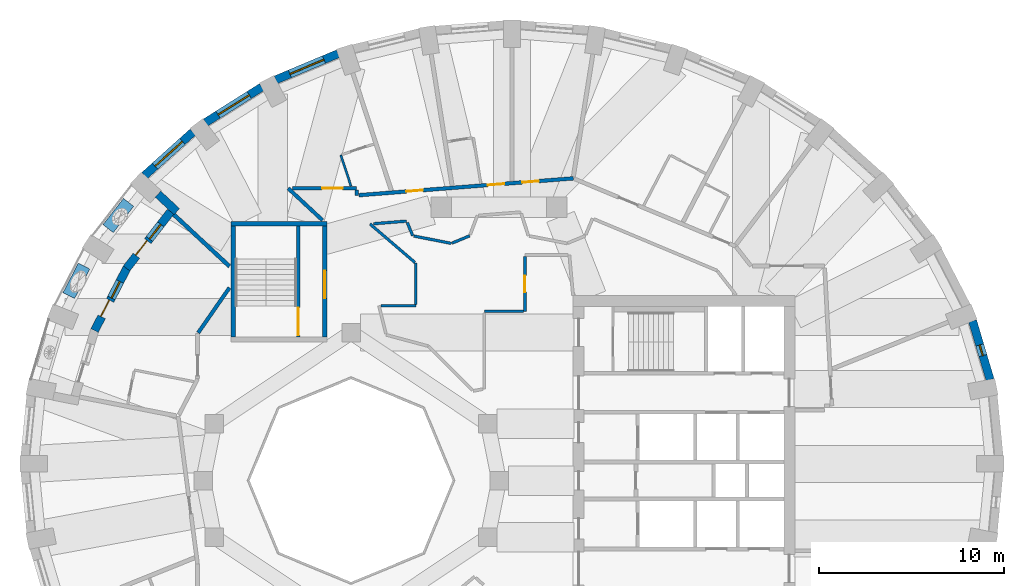
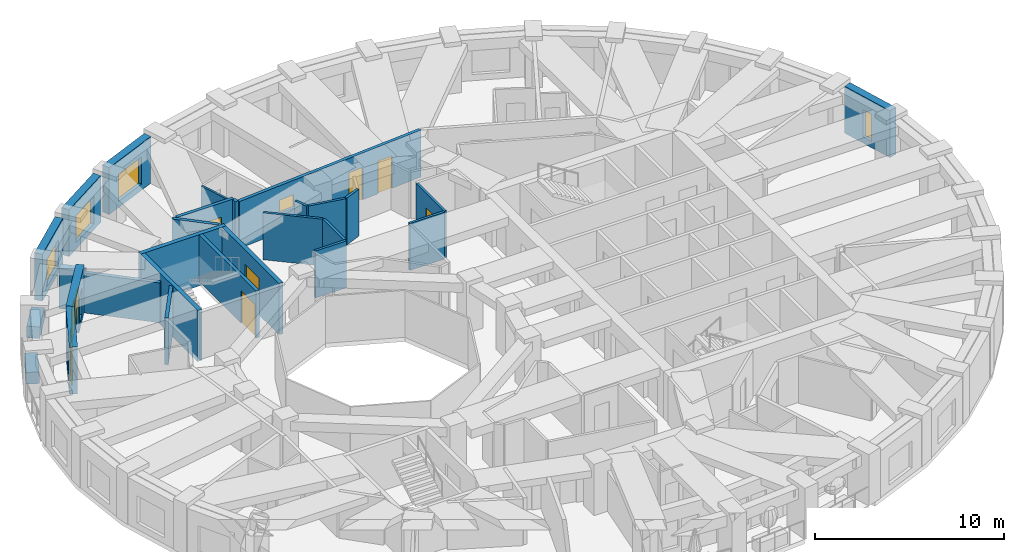
# One storey, part 7 of 12: 29 walls, 9 doors, 6 windows, 15 openings.
"""IFC4 building model written with IfcOpenShell, lengths in metres."""

from ifc_helpers import new_model, si_unit, direction, frame, frame_2d, origin, place, context, subcontext, project, spatial, rectangle, extrude, material, layer, layer_set, constituent, constituent_set, type_object, element, fill, save


model = new_model("IFC4")

# Units and contexts
model_context = context("Model", 3, precision=1e-05, world=origin(), true_north=direction((0.0, 1.0)))
body_context = subcontext(model_context, "Body", "Model", "MODEL_VIEW")
ifc_project = project(units=[si_unit("LENGTHUNIT", "METRE"), si_unit("AREAUNIT", "SQUARE_METRE"), si_unit("VOLUMEUNIT", "CUBIC_METRE"), si_unit("PLANEANGLEUNIT", "RADIAN"), si_unit("MASSUNIT", "GRAM", prefix="KILO")], contexts=[model_context])

# Site, building, storey
site_placement = place(None, origin())
site = spatial("IfcSite", under=ifc_project, at=site_placement, CompositionType="ELEMENT")
building_placement = place(site_placement, origin())
building = spatial("IfcBuilding", under=site, at=building_placement, Name="Taillehof Tower", CompositionType="ELEMENT")
storey_placement = place(building_placement, frame((0.0, 0.0, 205.699951171875)))
storey = spatial("IfcBuildingStorey", under=building, at=storey_placement, Name="L58", CompositionType="ELEMENT", Elevation=205.699951171875)

# Wall, opening, window
ifc_material_1 = material(Name="Brick masonry", Category="masonry")
ifc_layer_1 = layer(ifc_material_1, 0.449951171875)
ifc_layer_set_1 = layer_set([ifc_layer_1], Name="Brick infill wall 450")
wall_type_1 = type_object("IfcWallType", Name="Brick infill wall 450", PredefinedType="SOLIDWALL", material=ifc_layer_set_1)
wall_1_placement = place(storey_placement, frame((26.548095703125, 5.451904296875, 0.0), z_axis=(0.0, 0.0, 1.0), x_axis=(-0.285444972963, 0.958395099847, 0.0)))
wall_1 = element("IfcWall", 1, at=wall_1_placement, inside=storey, type_object=wall_type_1, Name="Brick wall L58 bay 2", PredefinedType="SOLIDWALL", context=body_context, shape_type="SweptSolid", body=[
    extrude(rectangle(XDim=3.3203125, YDim=0.449951171875, at=frame_2d((1.66015625, 0.0))), origin(), (0.0, 0.0, 1.0), 3.02001953125),
])
opening_1_placement = place(wall_1_placement, frame((1.360107421875, 0.0, 0.39990234375)))
opening_1 = element("IfcOpeningElement", 2, at=opening_1_placement, cuts=wall_1, Name="Opening W6", PredefinedType="OPENING", context=body_context, shape_type="SweptSolid", body=[
    extrude(rectangle(XDim=0.60009765625, YDim=1.75, at=frame_2d((0.300048828125, 0.875))), frame((0.0, 0.23486328125, 0.0), z_axis=(0.0, -1.0, 0.0), x_axis=(1.0, 0.0, 0.0)), (0.0, 0.0, 1.0), 0.469970703125),
])
ifc_material_2 = material(Name="Aluminium window frame with clear double glazing", Category="aluminium")
window_type_1 = type_object("IfcWindowType", Name="Slot window 600x1750", PartitioningType="SINGLE_PANEL", PredefinedType="WINDOW", material=ifc_material_2)
window_1_placement = place(opening_1_placement, origin())
window_1 = element("IfcWindow", 3, at=window_1_placement, inside=storey, type_object=window_type_1, Name="W6", OverallHeight=1.75, OverallWidth=0.60009765625, PartitioningType="SINGLE_PANEL", PredefinedType="WINDOW", context=body_context, shape_type="SweptSolid", body=[
    extrude(rectangle(XDim=0.60009765625, YDim=1.75, at=frame_2d((0.300048828125, 0.875))), frame((0.0, 0.034912109375, 0.0), z_axis=(0.0, -1.0, 0.0), x_axis=(1.0, 0.0, 0.0)), (0.0, 0.0, 1.0), 0.06005859375),
])
fill(opening_1, window_1)

wall_2_placement = place(storey_placement, frame((-8.70263671875, 23.0791015625, 0.0), z_axis=(0.0, 0.0, 1.0), x_axis=(-0.922168222612, -0.386789050006, 0.0)))
wall_2 = element("IfcWall", 4, at=wall_2_placement, inside=storey, type_object=wall_type_1, Name="Brick wall L58 bay 12", PredefinedType="SOLIDWALL", context=body_context, shape_type="SweptSolid", body=[
    extrude(rectangle(XDim=3.65087890625, YDim=0.449951171875, at=frame_2d((1.825439453125, 0.0))), origin(), (0.0, 0.0, 1.0), 3.02001953125),
])
opening_2_placement = place(wall_2_placement, frame((0.825439453125, 0.0, 0.39990234375)))
opening_2 = element("IfcOpeningElement", 5, at=opening_2_placement, cuts=wall_2, Name="Opening W2", PredefinedType="OPENING", context=body_context, shape_type="SweptSolid", body=[
    extrude(rectangle(XDim=2.0, YDim=1.75, at=frame_2d((1.0, 0.875))), frame((0.0, 0.23486328125, 0.0), z_axis=(0.0, -1.0, 0.0), x_axis=(1.0, 0.0, 0.0)), (0.0, 0.0, 1.0), 0.469970703125),
])
ifc_material_3 = material(Name="Aluminium window frame with clear double glazing", Category="aluminium")
window_type_2 = type_object("IfcWindowType", Name="Deep-set window 2000x1750", PartitioningType="SINGLE_PANEL", PredefinedType="WINDOW", material=ifc_material_3)
window_2_placement = place(opening_2_placement, origin())
window_2 = element("IfcWindow", 6, at=window_2_placement, inside=storey, type_object=window_type_2, Name="W2", OverallHeight=1.75, OverallWidth=2.0, PartitioningType="SINGLE_PANEL", PredefinedType="WINDOW", context=body_context, shape_type="SweptSolid", body=[
    extrude(rectangle(XDim=2.0, YDim=1.75, at=frame_2d((1.0, 0.875))), frame((0.0, 0.034912109375, 0.0), z_axis=(0.0, -1.0, 0.0), x_axis=(1.0, 0.0, 0.0)), (0.0, 0.0, 1.0), 0.06005859375),
])
fill(opening_2, window_2)

wall_3_placement = place(storey_placement, frame((-12.832275390625, 21.27001953125, 0.0), z_axis=(0.0, 0.0, 1.0), x_axis=(-0.846138482752, -0.532963101918, 0.0)))
wall_3 = element("IfcWall", 7, at=wall_3_placement, inside=storey, type_object=wall_type_1, Name="Brick wall L58 bay 13", PredefinedType="SOLIDWALL", context=body_context, shape_type="SweptSolid", body=[
    extrude(rectangle(XDim=3.586669921875, YDim=0.449951171875, at=frame_2d((1.79345703125, 0.0))), origin(), (0.0, 0.0, 1.0), 3.02001953125),
])
opening_3_placement = place(wall_3_placement, frame((0.79345703125, 0.0, 0.39990234375)))
opening_3 = element("IfcOpeningElement", 8, at=opening_3_placement, cuts=wall_3, Name="Opening W2", PredefinedType="OPENING", context=body_context, shape_type="SweptSolid", body=[
    extrude(rectangle(XDim=2.0, YDim=1.75, at=frame_2d((1.0, 0.875))), frame((0.0, 0.23486328125, 0.0), z_axis=(0.0, -1.0, 0.0), x_axis=(1.0, 0.0, 0.0)), (0.0, 0.0, 1.0), 0.469970703125),
])
window_3_placement = place(opening_3_placement, origin())
window_3 = element("IfcWindow", 9, at=window_3_placement, inside=storey, type_object=window_type_2, Name="W2", OverallHeight=1.75, OverallWidth=2.0, PartitioningType="SINGLE_PANEL", PredefinedType="WINDOW", context=body_context, shape_type="SweptSolid", body=[
    extrude(rectangle(XDim=2.0, YDim=1.75, at=frame_2d((1.0, 0.875))), frame((0.0, 0.034912109375, 0.0), z_axis=(0.0, -1.0, 0.0), x_axis=(1.0, 0.0, 0.0)), (0.0, 0.0, 1.0), 0.06005859375),
])
fill(opening_3, window_3)

wall_4_placement = place(storey_placement, frame((-16.553466796875, 18.83984375, 0.0), z_axis=(0.0, 0.0, 1.0), x_axis=(-0.743442727602, -0.668799604348, 0.0)))
wall_4 = element("IfcWall", 10, at=wall_4_placement, inside=storey, type_object=wall_type_1, Name="Brick wall L58 bay 14", PredefinedType="SOLIDWALL", context=body_context, shape_type="SweptSolid", body=[
    extrude(rectangle(XDim=3.5126953125, YDim=0.449951171875, at=frame_2d((1.75634765625, 0.0))), origin(), (0.0, 0.0, 1.0), 3.02001953125),
])
opening_4_placement = place(wall_4_placement, frame((0.75634765625, 0.0, 0.39990234375)))
opening_4 = element("IfcOpeningElement", 11, at=opening_4_placement, cuts=wall_4, Name="Opening W2", PredefinedType="OPENING", context=body_context, shape_type="SweptSolid", body=[
    extrude(rectangle(XDim=2.0, YDim=1.75, at=frame_2d((1.0, 0.875))), frame((0.0, 0.23486328125, 0.0), z_axis=(0.0, -1.0, 0.0), x_axis=(1.0, 0.0, 0.0)), (0.0, 0.0, 1.0), 0.469970703125),
])
window_4_placement = place(opening_4_placement, origin())
window_4 = element("IfcWindow", 12, at=window_4_placement, inside=storey, type_object=window_type_2, Name="W2", OverallHeight=1.75, OverallWidth=2.0, PartitioningType="SINGLE_PANEL", PredefinedType="WINDOW", context=body_context, shape_type="SweptSolid", body=[
    extrude(rectangle(XDim=2.0, YDim=1.75, at=frame_2d((1.0, 0.875))), frame((0.0, 0.034912109375, 0.0), z_axis=(0.0, -1.0, 0.0), x_axis=(1.0, 0.0, 0.0)), (0.0, 0.0, 1.0), 0.06005859375),
])
fill(opening_4, window_4)

# Wall
wall_5_placement = place(storey_placement, frame((-18.4404296875, 15.484375, 0.0), z_axis=(0.0, 0.0, 1.0), x_axis=(0.732268156969, -0.681016406769, 0.0)))
element("IfcWall", 13, at=wall_5_placement, inside=storey, type_object=wall_type_1, Name="Brick reveal L58 pocket 4", PredefinedType="SOLIDWALL", context=body_context, shape_type="SweptSolid", body=[
    extrude(rectangle(XDim=1.390869140625, YDim=0.449951171875, at=frame_2d((0.6953125, 0.0))), origin(), (0.0, 0.0, 1.0), 2.570068359375),
])

# Wall, openings, door, window
wall_6_placement = place(storey_placement, frame((-17.75390625, 14.53857421875, 0.0), z_axis=(0.0, 0.0, 1.0), x_axis=(-0.613174901215, -0.789947175779, 0.0)))
wall_6 = element("IfcWall", 14, at=wall_6_placement, inside=storey, type_object=wall_type_1, Name="Brick wall L58 pocket bay 15", PredefinedType="SOLIDWALL", context=body_context, shape_type="SweptSolid", body=[
    extrude(rectangle(XDim=3.886474609375, YDim=0.449951171875, at=frame_2d((1.943359375, 0.0))), origin(), (0.0, 0.0, 1.0), 3.02001953125),
])
opening_5_placement = place(wall_6_placement, frame((0.8681640625, 0.0, 0.39990234375)))
opening_5 = element("IfcOpeningElement", 15, at=opening_5_placement, cuts=wall_6, Name="Opening W5", PredefinedType="OPENING", context=body_context, shape_type="SweptSolid", body=[
    extrude(rectangle(XDim=1.0, YDim=1.75, at=frame_2d((0.5, 0.875))), frame((0.0, 0.23486328125, 0.0), z_axis=(0.0, -1.0, 0.0), x_axis=(1.0, 0.0, 0.0)), (0.0, 0.0, 1.0), 0.469970703125),
])
opening_6_placement = place(wall_6_placement, frame((2.018310546875, 0.0, 0.0)))
opening_6 = element("IfcOpeningElement", 16, at=opening_6_placement, cuts=wall_6, Name="Opening D5891", PredefinedType="OPENING", context=body_context, shape_type="SweptSolid", body=[
    extrude(rectangle(XDim=1.0, YDim=2.14990234375, at=frame_2d((0.5, 1.074951171875))), frame((0.0, 0.23486328125, 0.0), z_axis=(0.0, -1.0, 0.0), x_axis=(1.0, 0.0, 0.0)), (0.0, 0.0, 1.0), 0.469970703125),
])
ifc_material_4 = material(Name="Aluminium door frame with clear double glazing", Category="aluminium")
door_type_1 = type_object("IfcDoorType", Name="Balcony door 1000x2150", OperationType="SINGLE_SWING_RIGHT", PredefinedType="DOOR", material=ifc_material_4)
door_1_placement = place(opening_6_placement, frame((1.0, 0.0, 0.0), z_axis=(0.0, 0.0, 1.0), x_axis=(-1.0, 0.0, 0.0)))
door_1 = element("IfcDoor", 17, at=door_1_placement, inside=storey, type_object=door_type_1, Name="Balcony door L58 bay 15", OperationType="SINGLE_SWING_RIGHT", OverallHeight=2.14990234375, OverallWidth=1.0, PredefinedType="DOOR", context=body_context, shape_type="SweptSolid", body=[
    extrude(rectangle(XDim=1.0, YDim=2.14990234375, at=frame_2d((0.5, 1.074951171875))), frame((0.0, 0.0751953125, 0.0), z_axis=(0.0, -1.0, 0.0), x_axis=(1.0, 0.0, 0.0)), (0.0, 0.0, 1.0), 0.050048828125),
])
fill(opening_6, door_1)
ifc_material_5 = material(Name="Aluminium window frame with clear double glazing", Category="aluminium")
window_type_3 = type_object("IfcWindowType", Name="Fixed window 1000x1750", PartitioningType="SINGLE_PANEL", PredefinedType="WINDOW", material=ifc_material_5)
window_5_placement = place(opening_5_placement, origin())
window_5 = element("IfcWindow", 18, at=window_5_placement, inside=storey, type_object=window_type_3, Name="W5", OverallHeight=1.75, OverallWidth=1.0, PartitioningType="SINGLE_PANEL", PredefinedType="WINDOW", context=body_context, shape_type="SweptSolid", body=[
    extrude(rectangle(XDim=1.0, YDim=1.75, at=frame_2d((0.5, 0.875))), frame((0.0, 0.034912109375, 0.0), z_axis=(0.0, -1.0, 0.0), x_axis=(1.0, 0.0, 0.0)), (0.0, 0.0, 1.0), 0.06005859375),
])
fill(opening_5, window_5)

wall_7_placement = place(storey_placement, frame((-20.11474609375, 11.503173828125, 0.0), z_axis=(0.0, 0.0, 1.0), x_axis=(-0.459205720451, -0.888329953511, 0.0)))
wall_7 = element("IfcWall", 19, at=wall_7_placement, inside=storey, type_object=wall_type_1, Name="Brick wall L58 pocket bay 16", PredefinedType="SOLIDWALL", context=body_context, shape_type="SweptSolid", body=[
    extrude(rectangle(XDim=3.822509765625, YDim=0.449951171875, at=frame_2d((1.9111328125, 0.0))), origin(), (0.0, 0.0, 1.0), 3.02001953125),
])
opening_7_placement = place(wall_7_placement, frame((0.83642578125, 0.0, 0.39990234375)))
opening_7 = element("IfcOpeningElement", 20, at=opening_7_placement, cuts=wall_7, Name="Opening W5", PredefinedType="OPENING", context=body_context, shape_type="SweptSolid", body=[
    extrude(rectangle(XDim=1.0, YDim=1.75, at=frame_2d((0.5, 0.875))), frame((0.0, 0.23486328125, 0.0), z_axis=(0.0, -1.0, 0.0), x_axis=(1.0, 0.0, 0.0)), (0.0, 0.0, 1.0), 0.469970703125),
])
opening_8_placement = place(wall_7_placement, frame((1.986328125, 0.0, 0.0)))
opening_8 = element("IfcOpeningElement", 21, at=opening_8_placement, cuts=wall_7, Name="Opening D5892", PredefinedType="OPENING", context=body_context, shape_type="SweptSolid", body=[
    extrude(rectangle(XDim=1.0, YDim=2.14990234375, at=frame_2d((0.5, 1.074951171875))), frame((0.0, 0.23486328125, 0.0), z_axis=(0.0, -1.0, 0.0), x_axis=(1.0, 0.0, 0.0)), (0.0, 0.0, 1.0), 0.469970703125),
])
door_2_placement = place(opening_8_placement, frame((1.0, 0.0, 0.0), z_axis=(0.0, 0.0, 1.0), x_axis=(-1.0, 0.0, 0.0)))
door_2 = element("IfcDoor", 22, at=door_2_placement, inside=storey, type_object=door_type_1, Name="Balcony door L58 bay 16", OperationType="SINGLE_SWING_LEFT", OverallHeight=2.14990234375, OverallWidth=1.0, PredefinedType="DOOR", context=body_context, shape_type="SweptSolid", body=[
    extrude(rectangle(XDim=1.0, YDim=2.14990234375, at=frame_2d((0.5, 1.074951171875))), frame((0.0, 0.0751953125, 0.0), z_axis=(0.0, -1.0, 0.0), x_axis=(1.0, 0.0, 0.0)), (0.0, 0.0, 1.0), 0.050048828125),
])
fill(opening_8, door_2)
window_6_placement = place(opening_7_placement, origin())
window_6 = element("IfcWindow", 23, at=window_6_placement, inside=storey, type_object=window_type_3, Name="W5", OverallHeight=1.75, OverallWidth=1.0, PartitioningType="SINGLE_PANEL", PredefinedType="WINDOW", context=body_context, shape_type="SweptSolid", body=[
    extrude(rectangle(XDim=1.0, YDim=1.75, at=frame_2d((0.5, 0.875))), frame((0.0, 0.034912109375, 0.0), z_axis=(0.0, -1.0, 0.0), x_axis=(1.0, 0.0, 0.0)), (0.0, 0.0, 1.0), 0.06005859375),
])
fill(opening_7, window_6)

# Walls
ifc_material_6 = material(Name="Gypsum board on steel studs, two layers each side", Category="steel")
ifc_layer_2 = layer(ifc_material_6, 0.199951171875)
ifc_layer_set_2 = layer_set([ifc_layer_2], Name="Compartment wall corridor 200")
wall_type_2 = type_object("IfcWallType", Name="Compartment wall corridor 200", PredefinedType="PARTITIONING", material=ifc_layer_set_2)
wall_8_placement = place(storey_placement, frame((-16.265625, 7.9892578125, 0.0), z_axis=(0.0, 0.0, 1.0), x_axis=(0.569860411146, 0.821741511552, 0.0)))
element("IfcWall", 24, at=wall_8_placement, inside=storey, type_object=wall_type_2, Name="Compartment wall", PredefinedType="PARTITIONING", context=body_context, shape_type="SweptSolid", body=[
    extrude(rectangle(XDim=2.966064453125, YDim=0.199951171875, at=frame_2d((1.48291015625, 0.0))), origin(), (0.0, 0.0, 1.0), 3.02001953125),
])
wall_9_placement = place(storey_placement, frame((-9.540771484375, 14.070068359375, 0.0), z_axis=(0.0, 0.0, 1.0), x_axis=(-0.732300412469, 0.680981722146, 0.0)))
element("IfcWall", 25, at=wall_9_placement, inside=storey, type_object=wall_type_2, Name="Compartment wall", PredefinedType="PARTITIONING", context=body_context, shape_type="SweptSolid", body=[
    extrude(rectangle(XDim=2.54052734375, YDim=0.199951171875, at=frame_2d((1.270263671875, 0.0))), origin(), (0.0, 0.0, 1.0), 3.02001953125),
])

# Wall, opening, door
wall_10_placement = place(storey_placement, frame((-11.160888671875, 15.800048828125, 0.0), z_axis=(0.0, 0.0, 1.0), x_axis=(1.0, 0.0, 0.0)))
wall_10 = element("IfcWall", 26, at=wall_10_placement, inside=storey, type_object=wall_type_2, Name="Compartment wall", PredefinedType="PARTITIONING", context=body_context, shape_type="SweptSolid", body=[
    extrude(rectangle(XDim=3.4609375, YDim=0.199951171875, at=frame_2d((1.73046875, 0.0))), origin(), (0.0, 0.0, 1.0), 3.02001953125),
])
opening_9_placement = place(wall_10_placement, frame((1.601806640625, 0.0, 0.0)))
opening_9 = element("IfcOpeningElement", 27, at=opening_9_placement, cuts=wall_10, Name="Opening D5848", PredefinedType="OPENING", context=body_context, shape_type="SweptSolid", body=[
    extrude(rectangle(XDim=1.10009765625, YDim=2.10009765625, at=frame_2d((0.550048828125, 1.050048828125))), frame((0.0, 0.10986328125, 0.0), z_axis=(0.0, -1.0, 0.0), x_axis=(1.0, 0.0, 0.0)), (0.0, 0.0, 1.0), 0.219970703125),
])
ifc_material_7 = material(Name="Timber door leaf in steel frame", Category="steel")
door_type_2 = type_object("IfcDoorType", Name="Suite entrance door EI 30 1100 x 2100", OperationType="SINGLE_SWING_LEFT", PredefinedType="DOOR", material=ifc_material_7)
door_3_placement = place(opening_9_placement, origin())
door_3 = element("IfcDoor", 28, at=door_3_placement, inside=storey, type_object=door_type_2, Name="D5848", OperationType="SINGLE_SWING_RIGHT", OverallHeight=2.10009765625, OverallWidth=1.10009765625, PredefinedType="DOOR", context=body_context, shape_type="SweptSolid", body=[
    extrude(rectangle(XDim=1.10009765625, YDim=2.10009765625, at=frame_2d((0.550048828125, 1.050048828125))), frame((0.0, 0.02490234375, 0.0), z_axis=(0.0, -1.0, 0.0), x_axis=(1.0, 0.0, 0.0)), (0.0, 0.0, 1.0), 0.050048828125),
])
fill(opening_9, door_3)

# Wall
wall_11_placement = place(storey_placement, frame((-7.699951171875, 15.699951171875, 0.0), z_axis=(0.0, 0.0, 1.0), x_axis=(0.0, -1.0, 0.0)))
element("IfcWall", 29, at=wall_11_placement, inside=storey, type_object=wall_type_2, Name="Compartment wall", PredefinedType="PARTITIONING", context=body_context, shape_type="SweptSolid", body=[
    extrude(rectangle(XDim=0.281494140625, YDim=0.199951171875, at=frame_2d((0.140625, 0.0))), origin(), (0.0, 0.0, 1.0), 3.02001953125),
])

# Wall, openings, doors
wall_12_placement = place(storey_placement, frame((-7.579833984375, 15.42724609375, 0.0), z_axis=(0.0, 0.0, 1.0), x_axis=(0.996926687833, 0.078340149899, 0.0)))
wall_12 = element("IfcWall", 30, at=wall_12_placement, inside=storey, type_object=wall_type_2, Name="Compartment wall", PredefinedType="PARTITIONING", context=body_context, shape_type="SweptSolid", body=[
    extrude(rectangle(XDim=11.63037109375, YDim=0.199951171875, at=frame_2d((5.815185546875, 0.0))), origin(), (0.0, 0.0, 1.0), 3.02001953125),
])
opening_10_placement = place(wall_12_placement, frame((8.86572265625, 0.0, 0.0)))
opening_10 = element("IfcOpeningElement", 31, at=opening_10_placement, cuts=wall_12, Name="Opening D5844", PredefinedType="OPENING", context=body_context, shape_type="SweptSolid", body=[
    extrude(rectangle(XDim=0.89990234375, YDim=2.10009765625, at=frame_2d((0.449951171875, 1.050048828125))), frame((0.0, 0.10986328125, 0.0), z_axis=(0.0, -1.0, 0.0), x_axis=(1.0, 0.0, 0.0)), (0.0, 0.0, 1.0), 0.219970703125),
])
opening_11_placement = place(wall_12_placement, frame((6.992431640625, 0.0, 0.0)))
opening_11 = element("IfcOpeningElement", 32, at=opening_11_placement, cuts=wall_12, Name="Opening D5845", PredefinedType="OPENING", context=body_context, shape_type="SweptSolid", body=[
    extrude(rectangle(XDim=0.89990234375, YDim=2.10009765625, at=frame_2d((0.449951171875, 1.050048828125))), frame((0.0, 0.10986328125, 0.0), z_axis=(0.0, -1.0, 0.0), x_axis=(1.0, 0.0, 0.0)), (0.0, 0.0, 1.0), 0.219970703125),
])
opening_12_placement = place(wall_12_placement, frame((2.565673828125, 0.0, 0.0)))
opening_12 = element("IfcOpeningElement", 33, at=opening_12_placement, cuts=wall_12, Name="Opening D5847", PredefinedType="OPENING", context=body_context, shape_type="SweptSolid", body=[
    extrude(rectangle(XDim=0.89990234375, YDim=2.10009765625, at=frame_2d((0.449951171875, 1.050048828125))), frame((0.0, 0.10986328125, 0.0), z_axis=(0.0, -1.0, 0.0), x_axis=(1.0, 0.0, 0.0)), (0.0, 0.0, 1.0), 0.219970703125),
])
ifc_material_8 = material(Name="Timber door leaf in steel frame", Category="steel")
door_type_3 = type_object("IfcDoorType", Name="Guest room door EI 30 900 x 2100", OperationType="SINGLE_SWING_LEFT", PredefinedType="DOOR", material=ifc_material_8)
door_4_placement = place(opening_11_placement, origin())
door_4 = element("IfcDoor", 34, at=door_4_placement, inside=storey, type_object=door_type_3, Name="D5845", OperationType="SINGLE_SWING_RIGHT", OverallHeight=2.10009765625, OverallWidth=0.89990234375, PredefinedType="DOOR", context=body_context, shape_type="SweptSolid", body=[
    extrude(rectangle(XDim=0.89990234375, YDim=2.10009765625, at=frame_2d((0.449951171875, 1.050048828125))), frame((0.0, 0.02490234375, 0.0), z_axis=(0.0, -1.0, 0.0), x_axis=(1.0, 0.0, 0.0)), (0.0, 0.0, 1.0), 0.050048828125),
])
fill(opening_11, door_4)
ifc_material_9 = material(Name="Timber door leaf in steel frame", Category="steel")
door_type_4 = type_object("IfcDoorType", Name="Service room door EI 30 900 x 2100", OperationType="SINGLE_SWING_LEFT", PredefinedType="DOOR", material=ifc_material_9)
door_5_placement = place(opening_10_placement, origin())
door_5 = element("IfcDoor", 35, at=door_5_placement, inside=storey, type_object=door_type_4, Name="D5844", OperationType="SINGLE_SWING_LEFT", OverallHeight=2.10009765625, OverallWidth=0.89990234375, PredefinedType="DOOR", context=body_context, shape_type="SweptSolid", body=[
    extrude(rectangle(XDim=0.89990234375, YDim=2.10009765625, at=frame_2d((0.449951171875, 1.050048828125))), frame((0.0, 0.02490234375, 0.0), z_axis=(0.0, -1.0, 0.0), x_axis=(1.0, 0.0, 0.0)), (0.0, 0.0, 1.0), 0.050048828125),
])
fill(opening_10, door_5)
door_6_placement = place(opening_12_placement, origin())
door_6 = element("IfcDoor", 36, at=door_6_placement, inside=storey, type_object=door_type_4, Name="D5847", OperationType="SINGLE_SWING_LEFT", OverallHeight=2.10009765625, OverallWidth=0.89990234375, PredefinedType="DOOR", context=body_context, shape_type="SweptSolid", body=[
    extrude(rectangle(XDim=0.89990234375, YDim=2.10009765625, at=frame_2d((0.449951171875, 1.050048828125))), frame((0.0, 0.02490234375, 0.0), z_axis=(0.0, -1.0, 0.0), x_axis=(1.0, 0.0, 0.0)), (0.0, 0.0, 1.0), 0.050048828125),
])
fill(opening_12, door_6)

# Wall
ifc_material_10 = material(Name="Gypsum board on double steel studs with mineral wool", Category="steel")
ifc_layer_3 = layer(ifc_material_10, 0.219970703125)
ifc_layer_set_3 = layer_set([ifc_layer_3], Name="Compartment wall guest room 220")
wall_type_3 = type_object("IfcWallType", Name="Compartment wall guest room 220", PredefinedType="PARTITIONING", material=ifc_layer_set_3)
wall_13_placement = place(storey_placement, frame((-17.58837890625, 14.384765625, 0.0), z_axis=(0.0, 0.0, 1.0), x_axis=(0.732259547802, -0.681025663725, 0.0)))
element("IfcWall", 37, at=wall_13_placement, inside=storey, type_object=wall_type_3, Name="Compartment wall", PredefinedType="PARTITIONING", context=body_context, shape_type="SweptSolid", body=[
    extrude(rectangle(XDim=4.121826171875, YDim=0.219970703125, at=frame_2d((2.06103515625, 0.0))), origin(), (0.0, 0.0, 1.0), 2.570068359375),
])

# Wall, opening, door
ifc_material_11 = material(Name="Gypsum board on steel studs, two layers each side", Category="steel")
ifc_layer_4 = layer(ifc_material_11, 0.14990234375)
ifc_layer_set_4 = layer_set([ifc_layer_4], Name="Compartment wall service room 150")
wall_type_4 = type_object("IfcWallType", Name="Compartment wall service room 150", PredefinedType="PARTITIONING", material=ifc_layer_set_4)
wall_14_placement = place(storey_placement, frame((1.39990234375, 12.119873046875, 0.0), z_axis=(0.0, 0.0, 1.0), x_axis=(0.0, -1.0, 0.0)))
wall_14 = element("IfcWall", 38, at=wall_14_placement, inside=storey, type_object=wall_type_4, Name="Compartment wall", PredefinedType="PARTITIONING", context=body_context, shape_type="SweptSolid", body=[
    extrude(rectangle(XDim=2.969970703125, YDim=0.14990234375, at=frame_2d((1.48486328125, 0.0))), origin(), (0.0, 0.0, 1.0), 3.02001953125),
])
opening_13_placement = place(wall_14_placement, frame((1.034912109375, 0.0, 0.0)))
opening_13 = element("IfcOpeningElement", 39, at=opening_13_placement, cuts=wall_14, Name="Opening D5866", PredefinedType="OPENING", context=body_context, shape_type="SweptSolid", body=[
    extrude(rectangle(XDim=0.89990234375, YDim=2.10009765625, at=frame_2d((0.449951171875, 1.050048828125))), frame((0.0, 0.0849609375, 0.0), z_axis=(0.0, -1.0, 0.0), x_axis=(1.0, 0.0, 0.0)), (0.0, 0.0, 1.0), 0.169921875),
])
door_7_placement = place(opening_13_placement, origin())
door_7 = element("IfcDoor", 40, at=door_7_placement, inside=storey, type_object=door_type_4, Name="D5866", OperationType="SINGLE_SWING_LEFT", OverallHeight=2.10009765625, OverallWidth=0.89990234375, PredefinedType="DOOR", context=body_context, shape_type="SweptSolid", body=[
    extrude(rectangle(XDim=0.89990234375, YDim=2.10009765625, at=frame_2d((0.449951171875, 1.050048828125))), frame((0.0, 0.02490234375, 0.0), z_axis=(0.0, -1.0, 0.0), x_axis=(1.0, 0.0, 0.0)), (0.0, 0.0, 1.0), 0.050048828125),
])
fill(opening_13, door_7)

# Walls
wall_15_placement = place(storey_placement, frame((1.31982421875, 9.14990234375, 0.0), z_axis=(0.0, 0.0, 1.0), x_axis=(-1.0, 0.0, 0.0)))
element("IfcWall", 41, at=wall_15_placement, inside=storey, type_object=wall_type_4, Name="Compartment wall", PredefinedType="PARTITIONING", context=body_context, shape_type="SweptSolid", body=[
    extrude(rectangle(XDim=2.119873046875, YDim=0.14990234375, at=frame_2d((1.06005859375, 0.0))), origin(), (0.0, 0.0, 1.0), 3.02001953125),
])
wall_16_placement = place(storey_placement, frame((-6.393310546875, 9.449951171875, 0.0), z_axis=(0.0, 0.0, 1.0), x_axis=(1.0, 0.0, 0.0)))
element("IfcWall", 42, at=wall_16_placement, inside=storey, type_object=wall_type_4, Name="Compartment wall", PredefinedType="PARTITIONING", context=body_context, shape_type="SweptSolid", body=[
    extrude(rectangle(XDim=1.893310546875, YDim=0.14990234375, at=frame_2d((0.94677734375, 0.0))), origin(), (0.0, 0.0, 1.0), 3.02001953125),
])
wall_17_placement = place(storey_placement, frame((-4.5, 9.530029296875, 0.0), z_axis=(0.0, 0.0, 1.0), x_axis=(0.0, 1.0, 0.0)))
element("IfcWall", 43, at=wall_17_placement, inside=storey, type_object=wall_type_4, Name="Compartment wall", PredefinedType="PARTITIONING", context=body_context, shape_type="SweptSolid", body=[
    extrude(rectangle(XDim=2.219970703125, YDim=0.14990234375, at=frame_2d((1.10986328125, 0.0))), origin(), (0.0, 0.0, 1.0), 3.02001953125),
])
wall_18_placement = place(storey_placement, frame((-4.54541015625, 11.788818359375, 0.0), z_axis=(0.0, 0.0, 1.0), x_axis=(-0.759649557803, 0.650332645136, 0.0)))
element("IfcWall", 44, at=wall_18_placement, inside=storey, type_object=wall_type_4, Name="Compartment wall", PredefinedType="PARTITIONING", context=body_context, shape_type="SweptSolid", body=[
    extrude(rectangle(XDim=3.200439453125, YDim=0.14990234375, at=frame_2d((1.60009765625, 0.0))), origin(), (0.0, 0.0, 1.0), 3.02001953125),
])
wall_19_placement = place(storey_placement, frame((-6.79638671875, 13.88330078125, 0.0), z_axis=(0.0, 0.0, 1.0), x_axis=(0.996884469519, 0.078875562959, 0.0)))
element("IfcWall", 45, at=wall_19_placement, inside=storey, type_object=wall_type_4, Name="Compartment wall", PredefinedType="PARTITIONING", context=body_context, shape_type="SweptSolid", body=[
    extrude(rectangle(XDim=1.8076171875, YDim=0.14990234375, at=frame_2d((0.90380859375, 0.0))), origin(), (0.0, 0.0, 1.0), 2.570068359375),
])
wall_20_placement = place(storey_placement, frame((-4.964111328125, 13.95166015625, 0.0), z_axis=(0.0, 0.0, 1.0), x_axis=(0.383034593284, -0.923733998697, 0.0)))
element("IfcWall", 46, at=wall_20_placement, inside=storey, type_object=wall_type_4, Name="Compartment wall", PredefinedType="PARTITIONING", context=body_context, shape_type="SweptSolid", body=[
    extrude(rectangle(XDim=0.77880859375, YDim=0.14990234375, at=frame_2d((0.389404296875, 0.0))), origin(), (0.0, 0.0, 1.0), 3.02001953125),
])
wall_21_placement = place(storey_placement, frame((-4.607177734375, 13.220458984375, 0.0), z_axis=(0.0, 0.0, 1.0), x_axis=(0.981304142817, -0.192463449234, 0.0)))
element("IfcWall", 47, at=wall_21_placement, inside=storey, type_object=wall_type_4, Name="Compartment wall", PredefinedType="PARTITIONING", context=body_context, shape_type="SweptSolid", body=[
    extrude(rectangle(XDim=2.0703125, YDim=0.14990234375, at=frame_2d((1.03515625, 0.0))), origin(), (0.0, 0.0, 1.0), 3.02001953125),
])
wall_22_placement = place(storey_placement, frame((-2.53857421875, 12.837158203125, 0.0), z_axis=(0.0, 0.0, 1.0), x_axis=(0.923768662954, 0.382950985565, 0.0)))
element("IfcWall", 48, at=wall_22_placement, inside=storey, type_object=wall_type_4, Name="Compartment wall", PredefinedType="PARTITIONING", context=body_context, shape_type="SweptSolid", body=[
    extrude(rectangle(XDim=1.031494140625, YDim=0.14990234375, at=frame_2d((0.515625, 0.0))), origin(), (0.0, 0.0, 1.0), 3.02001953125),
])
ifc_material_12 = material(Name="Gypsum board on steel studs, moisture resistant", Category="steel")
ifc_layer_5 = layer(ifc_material_12, 0.1201171875)
ifc_layer_set_5 = layer_set([ifc_layer_5], Name="En-suite wall 120")
wall_type_5 = type_object("IfcWallType", Name="En-suite wall 120", PredefinedType="PARTITIONING", material=ifc_layer_set_5)
wall_23_placement = place(storey_placement, frame((-8.00390625, 15.919189453125, 0.0), z_axis=(0.0, 0.0, 1.0), x_axis=(-0.311931513965, 0.950104589293, 0.0)))
element("IfcWall", 49, at=wall_23_placement, inside=storey, type_object=wall_type_5, Name="En-suite wall", PredefinedType="PARTITIONING", context=body_context, shape_type="SweptSolid", body=[
    extrude(rectangle(XDim=1.7744140625, YDim=0.1201171875, at=frame_2d((0.88720703125, 0.0))), origin(), (0.0, 0.0, 1.0), 3.02001953125),
])
ifc_material_13 = material(Name="Concrete C30/37 precast", Category="concrete")
ifc_constituent_1 = constituent(ifc_material_13, Name="Structure", Category="concrete")
ifc_material_14 = material(Name="Insulated lining")
ifc_constituent_2 = constituent(ifc_material_14, Name="Lining")
ifc_constituent_set = constituent_set(constituents=[ifc_constituent_1, ifc_constituent_2], Name="Planter trough 700x750")
wall_type_6 = type_object("IfcWallType", Name="Planter trough 700x750", PredefinedType="USERDEFINED", material=ifc_constituent_set)
for number, where, z_axis, x_axis, name in (
    (50, (-20.029541015625, 15.03955078125, 0.0), (0.0, 0.0, 1.0), (-0.614269202726, -0.789096538189, 0.0), "Planter L58 bay 15"),
    (51, (-22.435546875, 11.595458984375, 0.0), (0.0, 0.0, 1.0), (-0.460186516514, -0.887822262629, 0.0), "Planter L58 bay 16"),
):
    element("IfcWall", number, at=place(storey_placement, frame(where, z_axis=z_axis, x_axis=x_axis)), inside=storey, type_object=wall_type_6, Name=name, ObjectType="PLANTER", PredefinedType="USERDEFINED", context=body_context, shape_type="SweptSolid", body=[
        extrude(rectangle(XDim=1.800048828125, YDim=0.699951171875, at=frame_2d((0.89990234375, 0.0))), origin(), (0.0, 0.0, 1.0), 0.75),
    ])

# Wall, opening, door
ifc_material_15 = material(Name="Concrete C50/60", Category="concrete")
ifc_layer_6 = layer(ifc_material_15, 0.199951171875)
ifc_layer_set_6 = layer_set([ifc_layer_6], Name="Shaft wall C50/60 200")
wall_type_7 = type_object("IfcWallType", Name="Shaft wall C50/60 200", PredefinedType="SHEAR", material=ifc_layer_set_6)
wall_24_placement = place(storey_placement, frame((-10.85009765625, 7.75, 0.0), z_axis=(0.0, 0.0, 1.0), x_axis=(0.0, 1.0, 0.0)))
wall_24 = element("IfcWall", 52, at=wall_24_placement, inside=storey, type_object=wall_type_7, Name="Shaft wall SW", PredefinedType="SHEAR", context=body_context, shape_type="SweptSolid", body=[
    extrude(rectangle(XDim=6.0, YDim=0.199951171875, at=frame_2d((3.0, 0.0))), origin(), (0.0, 0.0, 1.0), 3.02001953125),
])
opening_14_placement = place(wall_24_placement, frame((0.10009765625, 0.0, 0.0)))
opening_14 = element("IfcOpeningElement", 53, at=opening_14_placement, cuts=wall_24, Name="Opening D5812", PredefinedType="OPENING", context=body_context, shape_type="SweptSolid", body=[
    extrude(rectangle(XDim=1.5, YDim=2.10009765625, at=frame_2d((0.75, 1.050048828125))), frame((0.0, 0.10986328125, 0.0), z_axis=(0.0, -1.0, 0.0), x_axis=(1.0, 0.0, 0.0)), (0.0, 0.0, 1.0), 0.219970703125),
])
ifc_material_16 = material(Name="Steel-faced fire door", Category="steel")
door_type_5 = type_object("IfcDoorType", Name="Stair door 1500x2100", OperationType="DOUBLE_DOOR_SINGLE_SWING", PredefinedType="DOOR", material=ifc_material_16)
door_8_placement = place(opening_14_placement, origin())
door_8 = element("IfcDoor", 54, at=door_8_placement, inside=storey, type_object=door_type_5, Name="Stair lobby door S3", OperationType="DOUBLE_DOOR_SINGLE_SWING", OverallHeight=2.10009765625, OverallWidth=1.5, PredefinedType="DOOR", context=body_context, shape_type="SweptSolid", body=[
    extrude(rectangle(XDim=1.5, YDim=2.10009765625, at=frame_2d((0.75, 1.050048828125))), frame((0.0, 0.02490234375, 0.0), z_axis=(0.0, -1.0, 0.0), x_axis=(1.0, 0.0, 0.0)), (0.0, 0.0, 1.0), 0.050048828125),
])
fill(opening_14, door_8)

# Wall
ifc_material_17 = material(Name="Concrete C50/60", Category="concrete")
ifc_layer_7 = layer(ifc_material_17, 0.25)
ifc_layer_set_7 = layer_set([ifc_layer_7], Name="Stair wall C50/60 250")
wall_type_8 = type_object("IfcWallType", Name="Stair wall C50/60 250", PredefinedType="SHEAR", material=ifc_layer_set_7)
wall_25_placement = place(storey_placement, frame((-14.375, 7.75, -0.280029296875), z_axis=(0.0, 0.0, 1.0), x_axis=(0.0, 1.0, 0.0)))
element("IfcWall", 55, at=wall_25_placement, inside=storey, type_object=wall_type_8, Name="Stair wall SC", PredefinedType="SHEAR", context=body_context, shape_type="SweptSolid", body=[
    extrude(rectangle(XDim=6.0, YDim=0.25, at=frame_2d((3.0, 0.0))), origin(), (0.0, 0.0, 1.0), 3.300048828125),
])

# Wall, opening, door
wall_26_placement = place(storey_placement, frame((-9.425048828125, 7.75, -0.280029296875), z_axis=(0.0, 0.0, 1.0), x_axis=(0.0, 1.0, 0.0)))
wall_26 = element("IfcWall", 56, at=wall_26_placement, inside=storey, type_object=wall_type_8, Name="Stair wall SC", PredefinedType="SHEAR", context=body_context, shape_type="SweptSolid", body=[
    extrude(rectangle(XDim=6.0, YDim=0.25, at=frame_2d((3.0, 0.0))), origin(), (0.0, 0.0, 1.0), 3.300048828125),
])
opening_15_placement = place(wall_26_placement, frame((2.10009765625, 0.0, 0.280029296875)))
opening_15 = element("IfcOpeningElement", 57, at=opening_15_placement, cuts=wall_26, Name="Opening D5815", PredefinedType="OPENING", context=body_context, shape_type="SweptSolid", body=[
    extrude(rectangle(XDim=1.5, YDim=2.10009765625, at=frame_2d((0.75, 1.050048828125))), frame((0.0, 0.135009765625, 0.0), z_axis=(0.0, -1.0, 0.0), x_axis=(1.0, 0.0, 0.0)), (0.0, 0.0, 1.0), 0.27001953125),
])
door_9_placement = place(opening_15_placement, origin())
door_9 = element("IfcDoor", 58, at=door_9_placement, inside=storey, type_object=door_type_5, Name="Stair door S3", OperationType="DOUBLE_DOOR_SINGLE_SWING", OverallHeight=2.10009765625, OverallWidth=1.5, PredefinedType="DOOR", context=body_context, shape_type="SweptSolid", body=[
    extrude(rectangle(XDim=1.5, YDim=2.10009765625, at=frame_2d((0.75, 1.050048828125))), frame((0.0, 0.02490234375, 0.0), z_axis=(0.0, -1.0, 0.0), x_axis=(1.0, 0.0, 0.0)), (0.0, 0.0, 1.0), 0.050048828125),
])
fill(opening_15, door_9)

# Wall
wall_27_placement = place(storey_placement, frame((-14.5, 13.875, -0.280029296875), z_axis=(0.0, 0.0, 1.0), x_axis=(1.0, 0.0, 0.0)))
element("IfcWall", 59, at=wall_27_placement, inside=storey, type_object=wall_type_8, Name="Stair wall SC", PredefinedType="SHEAR", context=body_context, shape_type="SweptSolid", body=[
    extrude(rectangle(XDim=5.199951171875, YDim=0.25, at=frame_2d((2.60009765625, 0.0))), origin(), (0.0, 0.0, 1.0), 3.300048828125),
])

save(model, "model.ifc")
